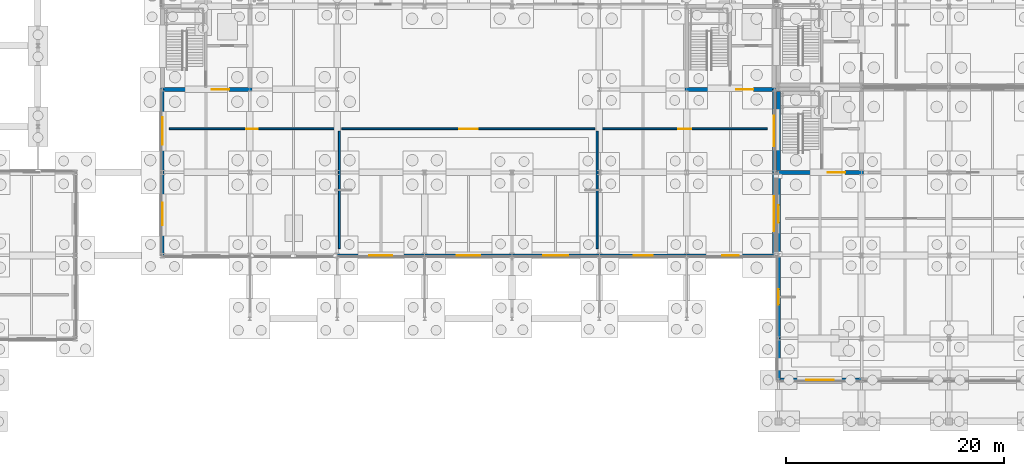
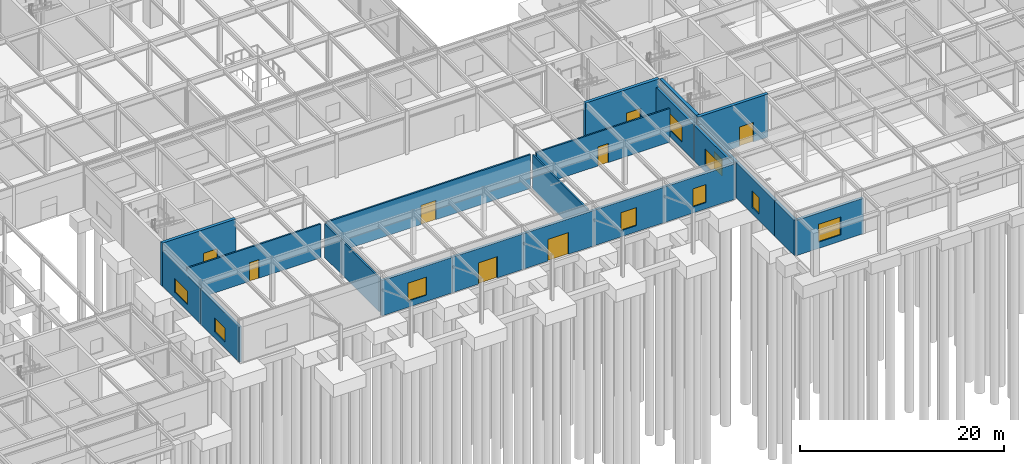
# One storey, part 43 of 62: 22 walls, 10 windows, 8 doors, 18 openings.
"""IFC4 building model written with IfcOpenShell, lengths in metres."""

from ifc_helpers import new_model, si_unit, direction, frame, frame_2d, origin, place, context, subcontext, project, spatial, rectangle, extrude, material, layer, layer_set, type_object, element, fill, save


model = new_model("IFC4")

# Units and contexts
model_context = context("Model", 3, precision=1e-05, world=origin(), true_north=direction((0.0, 1.0)))
body_context = subcontext(model_context, "Body", "Model", "MODEL_VIEW")
ifc_project = project(units=[si_unit("LENGTHUNIT", "METRE"), si_unit("AREAUNIT", "SQUARE_METRE"), si_unit("VOLUMEUNIT", "CUBIC_METRE"), si_unit("PLANEANGLEUNIT", "RADIAN"), si_unit("MASSUNIT", "GRAM", prefix="KILO")], contexts=[model_context])

# Site, building, storey
site_placement = place(None, origin())
site = spatial("IfcSite", under=ifc_project, at=site_placement, CompositionType="ELEMENT")
building_placement = place(site_placement, origin())
building = spatial("IfcBuilding", under=site, at=building_placement, Name="Zulena Civic Courthouse", CompositionType="ELEMENT")
storey_placement = place(building_placement, origin())
storey = spatial("IfcBuildingStorey", under=building, at=storey_placement, Name="L00", CompositionType="ELEMENT", Elevation=0.0)

# Wall, opening, door
ifc_material_1 = material(Name="Concrete C40/50", Category="concrete")
ifc_layer_1 = layer(ifc_material_1, 0.35009765625)
ifc_layer_set_1 = layer_set([ifc_layer_1], Name="Concrete C40/50")
wall_type_1 = type_object("IfcWallType", Name="CoreShearWall_RC350", PredefinedType="SHEAR", material=ifc_layer_set_1)
wall_1_placement = place(storey_placement, frame((124.22509765625, 22.800048828125, 0.0), z_axis=(0.0, 0.0, 1.0), x_axis=(1.0, 0.0, 0.0)))
wall_1 = element("IfcWall", 1, at=wall_1_placement, inside=storey, type_object=wall_type_1, Name="cwall:K1A:L00:S", PredefinedType="SHEAR", context=body_context, shape_type="SweptSolid", body=[
    extrude(rectangle(XDim=7.949951171875, YDim=0.35009765625, at=frame_2d((3.97509765625, 0.0))), origin(), (0.0, 0.0, 1.0), 5.18994140625),
])
opening_1_placement = place(wall_1_placement, frame((4.68505859375, 0.0, 0.0)))
opening_1 = element("IfcOpeningElement", 2, at=opening_1_placement, cuts=wall_1, Name="Opening ID04", PredefinedType="OPENING", context=body_context, shape_type="SweptSolid", body=[
    extrude(rectangle(XDim=1.60009765625, YDim=2.35009765625, at=frame_2d((0.800048828125, 1.175048828125))), frame((0.0, 0.18505859375, 0.0), z_axis=(0.0, -1.0, 0.0), x_axis=(1.0, 0.0, 0.0)), (0.0, 0.0, 1.0), 0.3701171875),
])
ifc_material_2 = material(Name="Solid-core acoustic hardwood timber", Category="wood")
door_type_1 = type_object("IfcDoorType", Name="IntDoor_CourtPublic_1600x2350", OperationType="DOUBLE_DOOR_SINGLE_SWING", PredefinedType="DOOR", material=ifc_material_2)
door_1_placement = place(opening_1_placement, origin())
door_1 = element("IfcDoor", 3, at=door_1_placement, inside=storey, type_object=door_type_1, Name="door:corelob:K1A:L00", OperationType="DOUBLE_DOOR_SINGLE_SWING", OverallHeight=2.35009765625, OverallWidth=1.60009765625, PredefinedType="DOOR", context=body_context, shape_type="SweptSolid", body=[
    extrude(rectangle(XDim=1.60009765625, YDim=2.35009765625, at=frame_2d((0.800048828125, 1.175048828125))), frame((0.0, 0.02490234375, 0.0), z_axis=(0.0, -1.0, 0.0), x_axis=(1.0, 0.0, 0.0)), (0.0, 0.0, 1.0), 0.050048828125),
])
fill(opening_1, door_1)

# Wall
wall_2_placement = place(storey_placement, frame((124.39990234375, 22.97509765625, 0.0), z_axis=(0.0, 0.0, 1.0), x_axis=(0.0, 1.0, 0.0)))
element("IfcWall", 4, at=wall_2_placement, inside=storey, type_object=wall_type_1, Name="cwall:K1A:L00:W", PredefinedType="SHEAR", context=body_context, shape_type="SweptSolid", body=[
    extrude(rectangle(XDim=7.25, YDim=0.35009765625, at=frame_2d((3.625, 0.0))), origin(), (0.0, 0.0, 1.0), 5.18994140625),
])

# Wall, opening, door
wall_3_placement = place(storey_placement, frame((67.824951171875, 30.39990234375, 0.0), z_axis=(0.0, 0.0, 1.0), x_axis=(1.0, 0.0, 0.0)))
wall_3 = element("IfcWall", 5, at=wall_3_placement, inside=storey, type_object=wall_type_1, Name="cwall:K4A:L00:S", PredefinedType="SHEAR", context=body_context, shape_type="SweptSolid", body=[
    extrude(rectangle(XDim=8.35009765625, YDim=0.35009765625, at=frame_2d((4.175048828125, 0.0))), origin(), (0.0, 0.0, 1.0), 5.18994140625),
])
opening_2_placement = place(wall_3_placement, frame((4.68505859375, 0.0, 0.0)))
opening_2 = element("IfcOpeningElement", 6, at=opening_2_placement, cuts=wall_3, Name="Opening ID04", PredefinedType="OPENING", context=body_context, shape_type="SweptSolid", body=[
    extrude(rectangle(XDim=1.60009765625, YDim=2.35009765625, at=frame_2d((0.800048828125, 1.175048828125))), frame((0.0, 0.18505859375, 0.0), z_axis=(0.0, -1.0, 0.0), x_axis=(1.0, 0.0, 0.0)), (0.0, 0.0, 1.0), 0.3701171875),
])
door_2_placement = place(opening_2_placement, origin())
door_2 = element("IfcDoor", 7, at=door_2_placement, inside=storey, type_object=door_type_1, Name="door:corelob:K4A:L00", OperationType="DOUBLE_DOOR_SINGLE_SWING", OverallHeight=2.35009765625, OverallWidth=1.60009765625, PredefinedType="DOOR", context=body_context, shape_type="SweptSolid", body=[
    extrude(rectangle(XDim=1.60009765625, YDim=2.35009765625, at=frame_2d((0.800048828125, 1.175048828125))), frame((0.0, 0.02490234375, 0.0), z_axis=(0.0, -1.0, 0.0), x_axis=(1.0, 0.0, 0.0)), (0.0, 0.0, 1.0), 0.050048828125),
])
fill(opening_2, door_2)

wall_4_placement = place(storey_placement, frame((115.824951171875, 30.39990234375, 0.0), z_axis=(0.0, 0.0, 1.0), x_axis=(1.0, 0.0, 0.0)))
wall_4 = element("IfcWall", 8, at=wall_4_placement, inside=storey, type_object=wall_type_1, Name="cwall:K4B:L00:S", PredefinedType="SHEAR", context=body_context, shape_type="SweptSolid", body=[
    extrude(rectangle(XDim=8.35009765625, YDim=0.35009765625, at=frame_2d((4.175048828125, 0.0))), origin(), (0.0, 0.0, 1.0), 5.18994140625),
])
opening_3_placement = place(wall_4_placement, frame((4.68505859375, 0.0, 0.0)))
opening_3 = element("IfcOpeningElement", 9, at=opening_3_placement, cuts=wall_4, Name="Opening ID04", PredefinedType="OPENING", context=body_context, shape_type="SweptSolid", body=[
    extrude(rectangle(XDim=1.60009765625, YDim=2.35009765625, at=frame_2d((0.800048828125, 1.175048828125))), frame((0.0, 0.18505859375, 0.0), z_axis=(0.0, -1.0, 0.0), x_axis=(1.0, 0.0, 0.0)), (0.0, 0.0, 1.0), 0.3701171875),
])
door_3_placement = place(opening_3_placement, origin())
door_3 = element("IfcDoor", 10, at=door_3_placement, inside=storey, type_object=door_type_1, Name="door:corelob:K4B:L00", OperationType="DOUBLE_DOOR_SINGLE_SWING", OverallHeight=2.35009765625, OverallWidth=1.60009765625, PredefinedType="DOOR", context=body_context, shape_type="SweptSolid", body=[
    extrude(rectangle(XDim=1.60009765625, YDim=2.35009765625, at=frame_2d((0.800048828125, 1.175048828125))), frame((0.0, 0.02490234375, 0.0), z_axis=(0.0, -1.0, 0.0), x_axis=(1.0, 0.0, 0.0)), (0.0, 0.0, 1.0), 0.050048828125),
])
fill(opening_3, door_3)

# Wall
ifc_material_3 = material(Name="Terracotta-rose architectural precast concrete C40/50", Category="masonry")
ifc_layer_2 = layer(ifc_material_3, 0.320068359375)
ifc_layer_set_2 = layer_set([ifc_layer_2], Name="Terracotta-rose architectural precast concrete C40/50")
wall_type_2 = type_object("IfcWallType", Name="ExtWall_TerraPrecast_320", PredefinedType="STANDARD", material=ifc_layer_set_2)
wall_5_placement = place(storey_placement, frame((124.39990234375, 3.780029296875, 0.0), z_axis=(0.0, 0.0, 1.0), x_axis=(0.0, 1.0, 0.0)))
element("IfcWall", 11, at=wall_5_placement, inside=storey, type_object=wall_type_2, Name="ewall:V1:L00:0:0", PredefinedType="STANDARD", context=body_context, shape_type="SweptSolid", body=[
    extrude(rectangle(XDim=3.840087890625, YDim=0.320068359375, at=frame_2d((1.919921875, 0.0))), origin(), (0.0, 0.0, 1.0), 4.25),
])

# Wall, opening, window
wall_6_placement = place(storey_placement, frame((124.39990234375, 7.580078125, 0.0), z_axis=(0.0, 0.0, 1.0), x_axis=(0.0, 1.0, 0.0)))
wall_6 = element("IfcWall", 12, at=wall_6_placement, inside=storey, type_object=wall_type_2, Name="ewall:V1:L00:0:1", PredefinedType="STANDARD", context=body_context, shape_type="SweptSolid", body=[
    extrude(rectangle(XDim=7.639892578125, YDim=0.320068359375, at=frame_2d((3.81982421875, 0.0))), origin(), (0.0, 0.0, 1.0), 4.25),
])
opening_4_placement = place(wall_6_placement, frame((3.1201171875, 0.0, 0.75)))
opening_4 = element("IfcOpeningElement", 13, at=opening_4_placement, cuts=wall_6, Name="Opening WN01", PredefinedType="OPENING", context=body_context, shape_type="SweptSolid", body=[
    extrude(rectangle(XDim=1.39990234375, YDim=2.0, at=frame_2d((0.699951171875, 1.0))), frame((0.0, 0.169921875, 0.0), z_axis=(0.0, -1.0, 0.0), x_axis=(1.0, 0.0, 0.0)), (0.0, 0.0, 1.0), 0.340087890625),
])
ifc_material_4 = material(Name="Double-silver low-E laminated solar-control glass", Category="glass")
window_type_1 = type_object("IfcWindowType", Name="Win_1400x2000", PartitioningType="SINGLE_PANEL", PredefinedType="WINDOW", material=ifc_material_4)
window_1_placement = place(opening_4_placement, origin())
window_1 = element("IfcWindow", 14, at=window_1_placement, inside=storey, type_object=window_type_1, Name="win:V1:L00:0:1", OverallHeight=2.0, OverallWidth=1.39990234375, PartitioningType="SINGLE_PANEL", PredefinedType="WINDOW", context=body_context, shape_type="SweptSolid", body=[
    extrude(rectangle(XDim=1.39990234375, YDim=2.0, at=frame_2d((0.699951171875, 1.0))), frame((0.0, 0.030029296875, 0.0), z_axis=(0.0, -1.0, 0.0), x_axis=(1.0, 0.0, 0.0)), (0.0, 0.0, 1.0), 0.06005859375),
])
fill(opening_4, window_1)

wall_7_placement = place(storey_placement, frame((124.39990234375, 15.179931640625, 0.0), z_axis=(0.0, 0.0, 1.0), x_axis=(0.0, 1.0, 0.0)))
wall_7 = element("IfcWall", 15, at=wall_7_placement, inside=storey, type_object=wall_type_2, Name="ewall:V1:L00:0:2", PredefinedType="STANDARD", context=body_context, shape_type="SweptSolid", body=[
    extrude(rectangle(XDim=7.64013671875, YDim=0.320068359375, at=frame_2d((3.820068359375, 0.0))), origin(), (0.0, 0.0, 1.0), 4.25),
])
opening_5_placement = place(wall_7_placement, frame((3.02001953125, 0.0, 0.75)))
opening_5 = element("IfcOpeningElement", 16, at=opening_5_placement, cuts=wall_7, Name="Opening WN02", PredefinedType="OPENING", context=body_context, shape_type="SweptSolid", body=[
    extrude(rectangle(XDim=1.60009765625, YDim=2.0, at=frame_2d((0.800048828125, 1.0))), frame((0.0, 0.169921875, 0.0), z_axis=(0.0, -1.0, 0.0), x_axis=(1.0, 0.0, 0.0)), (0.0, 0.0, 1.0), 0.340087890625),
])
window_type_2 = type_object("IfcWindowType", Name="Win_1600x2000", PartitioningType="SINGLE_PANEL", PredefinedType="WINDOW", material=ifc_material_4)
window_2_placement = place(opening_5_placement, origin())
window_2 = element("IfcWindow", 17, at=window_2_placement, inside=storey, type_object=window_type_2, Name="win:V1:L00:0:2", OverallHeight=2.0, OverallWidth=1.60009765625, PartitioningType="SINGLE_PANEL", PredefinedType="WINDOW", context=body_context, shape_type="SweptSolid", body=[
    extrude(rectangle(XDim=1.60009765625, YDim=2.0, at=frame_2d((0.800048828125, 1.0))), frame((0.0, 0.030029296875, 0.0), z_axis=(0.0, -1.0, 0.0), x_axis=(1.0, 0.0, 0.0)), (0.0, 0.0, 1.0), 0.06005859375),
])
fill(opening_5, window_2)

wall_8_placement = place(storey_placement, frame((132.02001953125, 3.800048828125, 0.0), z_axis=(0.0, 0.0, 1.0), x_axis=(-1.0, 0.0, 0.0)))
wall_8 = element("IfcWall", 18, at=wall_8_placement, inside=storey, type_object=wall_type_2, Name="ewall:V1:L00:3:5", PredefinedType="STANDARD", context=body_context, shape_type="SweptSolid", body=[
    extrude(rectangle(XDim=7.64013671875, YDim=0.320068359375, at=frame_2d((3.820068359375, 0.0))), origin(), (0.0, 0.0, 1.0), 4.25),
])
opening_6_placement = place(wall_8_placement, frame((2.570068359375, 0.0, 0.75)))
opening_6 = element("IfcOpeningElement", 19, at=opening_6_placement, cuts=wall_8, Name="Opening WN12", PredefinedType="OPENING", context=body_context, shape_type="SweptSolid", body=[
    extrude(rectangle(XDim=2.5, YDim=2.14990234375, at=frame_2d((1.25, 1.074951171875))), frame((0.0, 0.169921875, 0.0), z_axis=(0.0, -1.0, 0.0), x_axis=(1.0, 0.0, 0.0)), (0.0, 0.0, 1.0), 0.340087890625),
])
window_type_3 = type_object("IfcWindowType", Name="Win_2500x2150", PartitioningType="DOUBLE_PANEL_VERTICAL", PredefinedType="WINDOW", material=ifc_material_4)
window_3_placement = place(opening_6_placement, origin())
window_3 = element("IfcWindow", 20, at=window_3_placement, inside=storey, type_object=window_type_3, Name="win:V1:L00:3:5", OverallHeight=2.14990234375, OverallWidth=2.5, PartitioningType="SINGLE_PANEL", PredefinedType="WINDOW", context=body_context, shape_type="SweptSolid", body=[
    extrude(rectangle(XDim=2.5, YDim=2.14990234375, at=frame_2d((1.25, 1.074951171875))), frame((0.0, 0.030029296875, 0.0), z_axis=(0.0, -1.0, 0.0), x_axis=(1.0, 0.0, 0.0)), (0.0, 0.0, 1.0), 0.06005859375),
])
fill(opening_6, window_3)

ifc_material_5 = material(Name="Travertine-cream architectural precast concrete C40/50", Category="masonry")
ifc_layer_3 = layer(ifc_material_5, 0.280029296875)
ifc_layer_set_3 = layer_set([ifc_layer_3], Name="Travertine-cream architectural precast concrete C40/50")
wall_type_3 = type_object("IfcWallType", Name="ExtWall_TravPrecast_280", PredefinedType="STANDARD", material=ifc_layer_set_3)
wall_9_placement = place(storey_placement, frame((68.0, 15.179931640625, 0.0), z_axis=(0.0, 0.0, 1.0), x_axis=(0.0, 1.0, 0.0)))
wall_9 = element("IfcWall", 21, at=wall_9_placement, inside=storey, type_object=wall_type_3, Name="ewall:V4:L00:0:0", PredefinedType="STANDARD", context=body_context, shape_type="SweptSolid", body=[
    extrude(rectangle(XDim=7.64013671875, YDim=0.280029296875, at=frame_2d((3.820068359375, 0.0))), origin(), (0.0, 0.0, 1.0), 4.25),
])
opening_7_placement = place(wall_9_placement, frame((2.77001953125, 0.0, 0.75)))
opening_7 = element("IfcOpeningElement", 22, at=opening_7_placement, cuts=wall_9, Name="Opening WN44", PredefinedType="OPENING", context=body_context, shape_type="SweptSolid", body=[
    extrude(rectangle(XDim=2.10009765625, YDim=1.64990234375, at=frame_2d((1.050048828125, 0.824951171875))), frame((0.0, 0.14990234375, 0.0), z_axis=(0.0, -1.0, 0.0), x_axis=(1.0, 0.0, 0.0)), (0.0, 0.0, 1.0), 0.300048828125),
])
window_type_4 = type_object("IfcWindowType", Name="Win_2100x1650", PartitioningType="DOUBLE_PANEL_VERTICAL", PredefinedType="WINDOW", material=ifc_material_4)
window_4_placement = place(opening_7_placement, origin())
window_4 = element("IfcWindow", 23, at=window_4_placement, inside=storey, type_object=window_type_4, Name="win:V4:L00:0:0", OverallHeight=1.64990234375, OverallWidth=2.10009765625, PartitioningType="SINGLE_PANEL", PredefinedType="WINDOW", context=body_context, shape_type="SweptSolid", body=[
    extrude(rectangle(XDim=2.10009765625, YDim=1.64990234375, at=frame_2d((1.050048828125, 0.824951171875))), frame((0.0, 0.030029296875, 0.0), z_axis=(0.0, -1.0, 0.0), x_axis=(1.0, 0.0, 0.0)), (0.0, 0.0, 1.0), 0.06005859375),
])
fill(opening_7, window_4)

wall_10_placement = place(storey_placement, frame((68.0, 22.780029296875, 0.0), z_axis=(0.0, 0.0, 1.0), x_axis=(0.0, 1.0, 0.0)))
wall_10 = element("IfcWall", 24, at=wall_10_placement, inside=storey, type_object=wall_type_3, Name="ewall:V4:L00:0:1", PredefinedType="STANDARD", context=body_context, shape_type="SweptSolid", body=[
    extrude(rectangle(XDim=7.639892578125, YDim=0.280029296875, at=frame_2d((3.81982421875, 0.0))), origin(), (0.0, 0.0, 1.0), 4.25),
])
opening_8_placement = place(wall_10_placement, frame((2.570068359375, 0.0, 0.75)))
opening_8 = element("IfcOpeningElement", 25, at=opening_8_placement, cuts=wall_10, Name="Opening WN45", PredefinedType="OPENING", context=body_context, shape_type="SweptSolid", body=[
    extrude(rectangle(XDim=2.5, YDim=1.64990234375, at=frame_2d((1.25, 0.824951171875))), frame((0.0, 0.14990234375, 0.0), z_axis=(0.0, -1.0, 0.0), x_axis=(1.0, 0.0, 0.0)), (0.0, 0.0, 1.0), 0.300048828125),
])
window_type_5 = type_object("IfcWindowType", Name="Win_2500x1650", PartitioningType="DOUBLE_PANEL_VERTICAL", PredefinedType="WINDOW", material=ifc_material_4)
window_5_placement = place(opening_8_placement, origin())
window_5 = element("IfcWindow", 26, at=window_5_placement, inside=storey, type_object=window_type_5, Name="win:V4:L00:0:1", OverallHeight=1.64990234375, OverallWidth=2.5, PartitioningType="SINGLE_PANEL", PredefinedType="WINDOW", context=body_context, shape_type="SweptSolid", body=[
    extrude(rectangle(XDim=2.5, YDim=1.64990234375, at=frame_2d((1.25, 0.824951171875))), frame((0.0, 0.030029296875, 0.0), z_axis=(0.0, -1.0, 0.0), x_axis=(1.0, 0.0, 0.0)), (0.0, 0.0, 1.0), 0.06005859375),
])
fill(opening_8, window_5)

wall_11_placement = place(storey_placement, frame((124.0, 30.419921875, 0.0), z_axis=(0.0, 0.0, 1.0), x_axis=(0.0, -1.0, 0.0)))
wall_11 = element("IfcWall", 27, at=wall_11_placement, inside=storey, type_object=wall_type_3, Name="ewall:V4:L00:2:2", PredefinedType="STANDARD", context=body_context, shape_type="SweptSolid", body=[
    extrude(rectangle(XDim=7.639892578125, YDim=0.280029296875, at=frame_2d((3.81982421875, 0.0))), origin(), (0.0, 0.0, 1.0), 4.25),
])
opening_9_placement = place(wall_11_placement, frame((2.419921875, 0.0, 0.75)))
opening_9 = element("IfcOpeningElement", 28, at=opening_9_placement, cuts=wall_11, Name="Opening WN07", PredefinedType="OPENING", context=body_context, shape_type="SweptSolid", body=[
    extrude(rectangle(XDim=2.800048828125, YDim=2.0, at=frame_2d((1.39990234375, 1.0))), frame((0.0, 0.14990234375, 0.0), z_axis=(0.0, -1.0, 0.0), x_axis=(1.0, 0.0, 0.0)), (0.0, 0.0, 1.0), 0.300048828125),
])
window_type_6 = type_object("IfcWindowType", Name="Win_2800x2000", PartitioningType="DOUBLE_PANEL_VERTICAL", PredefinedType="WINDOW", material=ifc_material_4)
window_6_placement = place(opening_9_placement, origin())
window_6 = element("IfcWindow", 29, at=window_6_placement, inside=storey, type_object=window_type_6, Name="win:V4:L00:2:2", OverallHeight=2.0, OverallWidth=2.800048828125, PartitioningType="SINGLE_PANEL", PredefinedType="WINDOW", context=body_context, shape_type="SweptSolid", body=[
    extrude(rectangle(XDim=2.800048828125, YDim=2.0, at=frame_2d((1.39990234375, 1.0))), frame((0.0, 0.030029296875, 0.0), z_axis=(0.0, -1.0, 0.0), x_axis=(1.0, 0.0, 0.0)), (0.0, 0.0, 1.0), 0.06005859375),
])
fill(opening_9, window_6)

wall_12_placement = place(storey_placement, frame((124.0, 22.820068359375, 0.0), z_axis=(0.0, 0.0, 1.0), x_axis=(0.0, -1.0, 0.0)))
wall_12 = element("IfcWall", 30, at=wall_12_placement, inside=storey, type_object=wall_type_3, Name="ewall:V4:L00:2:3", PredefinedType="STANDARD", context=body_context, shape_type="SweptSolid", body=[
    extrude(rectangle(XDim=7.64013671875, YDim=0.280029296875, at=frame_2d((3.820068359375, 0.0))), origin(), (0.0, 0.0, 1.0), 4.25),
])
opening_10_placement = place(wall_12_placement, frame((2.219970703125, 0.0, 0.75)))
opening_10 = element("IfcOpeningElement", 31, at=opening_10_placement, cuts=wall_12, Name="Opening WN08", PredefinedType="OPENING", context=body_context, shape_type="SweptSolid", body=[
    extrude(rectangle(XDim=3.199951171875, YDim=2.0, at=frame_2d((1.60009765625, 1.0))), frame((0.0, 0.14990234375, 0.0), z_axis=(0.0, -1.0, 0.0), x_axis=(1.0, 0.0, 0.0)), (0.0, 0.0, 1.0), 0.300048828125),
])
window_type_7 = type_object("IfcWindowType", Name="Win_3200x2000", PartitioningType="DOUBLE_PANEL_VERTICAL", PredefinedType="WINDOW", material=ifc_material_4)
window_7_placement = place(opening_10_placement, origin())
window_7 = element("IfcWindow", 32, at=window_7_placement, inside=storey, type_object=window_type_7, Name="win:V4:L00:2:3", OverallHeight=2.0, OverallWidth=3.199951171875, PartitioningType="SINGLE_PANEL", PredefinedType="WINDOW", context=body_context, shape_type="SweptSolid", body=[
    extrude(rectangle(XDim=3.199951171875, YDim=2.0, at=frame_2d((1.60009765625, 1.0))), frame((0.0, 0.030029296875, 0.0), z_axis=(0.0, -1.0, 0.0), x_axis=(1.0, 0.0, 0.0)), (0.0, 0.0, 1.0), 0.06005859375),
])
fill(opening_10, window_7)

wall_13_placement = place(storey_placement, frame((124.02001953125, 15.199951171875, 0.0), z_axis=(0.0, 0.0, 1.0), x_axis=(-1.0, 0.0, 0.0)))
wall_13 = element("IfcWall", 33, at=wall_13_placement, inside=storey, type_object=wall_type_3, Name="ewall:V4:L00:3:0", PredefinedType="STANDARD", context=body_context, shape_type="SweptSolid", body=[
    extrude(rectangle(XDim=8.0400390625, YDim=0.280029296875, at=frame_2d((4.02001953125, 0.0))), origin(), (0.0, 0.0, 1.0), 4.25),
])
opening_11_placement = place(wall_13_placement, frame((3.27001953125, 0.0, 0.75)))
opening_11 = element("IfcOpeningElement", 34, at=opening_11_placement, cuts=wall_13, Name="Opening WN09", PredefinedType="OPENING", context=body_context, shape_type="SweptSolid", body=[
    extrude(rectangle(XDim=1.5, YDim=2.14990234375, at=frame_2d((0.75, 1.074951171875))), frame((0.0, 0.14990234375, 0.0), z_axis=(0.0, -1.0, 0.0), x_axis=(1.0, 0.0, 0.0)), (0.0, 0.0, 1.0), 0.300048828125),
])
window_type_8 = type_object("IfcWindowType", Name="Win_1500x2150", PartitioningType="SINGLE_PANEL", PredefinedType="WINDOW", material=ifc_material_4)
window_8_placement = place(opening_11_placement, origin())
window_8 = element("IfcWindow", 35, at=window_8_placement, inside=storey, type_object=window_type_8, Name="win:V4:L00:3:0", OverallHeight=2.14990234375, OverallWidth=1.5, PartitioningType="SINGLE_PANEL", PredefinedType="WINDOW", context=body_context, shape_type="SweptSolid", body=[
    extrude(rectangle(XDim=1.5, YDim=2.14990234375, at=frame_2d((0.75, 1.074951171875))), frame((0.0, 0.030029296875, 0.0), z_axis=(0.0, -1.0, 0.0), x_axis=(1.0, 0.0, 0.0)), (0.0, 0.0, 1.0), 0.06005859375),
])
fill(opening_11, window_8)

wall_14_placement = place(storey_placement, frame((116.02001953125, 15.199951171875, 0.0), z_axis=(0.0, 0.0, 1.0), x_axis=(-1.0, 0.0, 0.0)))
wall_14 = element("IfcWall", 36, at=wall_14_placement, inside=storey, type_object=wall_type_3, Name="ewall:V4:L00:3:1", PredefinedType="STANDARD", context=body_context, shape_type="SweptSolid", body=[
    extrude(rectangle(XDim=8.0400390625, YDim=0.280029296875, at=frame_2d((4.02001953125, 0.0))), origin(), (0.0, 0.0, 1.0), 4.25),
])
opening_12_placement = place(wall_14_placement, frame((3.14501953125, 0.0, 0.75)))
opening_12 = element("IfcOpeningElement", 37, at=opening_12_placement, cuts=wall_14, Name="Opening WN10", PredefinedType="OPENING", context=body_context, shape_type="SweptSolid", body=[
    extrude(rectangle(XDim=1.75, YDim=2.14990234375, at=frame_2d((0.875, 1.074951171875))), frame((0.0, 0.14990234375, 0.0), z_axis=(0.0, -1.0, 0.0), x_axis=(1.0, 0.0, 0.0)), (0.0, 0.0, 1.0), 0.300048828125),
])
window_type_9 = type_object("IfcWindowType", Name="Win_1750x2150", PartitioningType="SINGLE_PANEL", PredefinedType="WINDOW", material=ifc_material_4)
window_9_placement = place(opening_12_placement, origin())
window_9 = element("IfcWindow", 38, at=window_9_placement, inside=storey, type_object=window_type_9, Name="win:V4:L00:3:1", OverallHeight=2.14990234375, OverallWidth=1.75, PartitioningType="SINGLE_PANEL", PredefinedType="WINDOW", context=body_context, shape_type="SweptSolid", body=[
    extrude(rectangle(XDim=1.75, YDim=2.14990234375, at=frame_2d((0.875, 1.074951171875))), frame((0.0, 0.030029296875, 0.0), z_axis=(0.0, -1.0, 0.0), x_axis=(1.0, 0.0, 0.0)), (0.0, 0.0, 1.0), 0.06005859375),
])
fill(opening_12, window_9)

# Wall, opening, door
wall_15_placement = place(storey_placement, frame((108.02001953125, 15.199951171875, 0.0), z_axis=(0.0, 0.0, 1.0), x_axis=(-1.0, 0.0, 0.0)))
wall_15 = element("IfcWall", 39, at=wall_15_placement, inside=storey, type_object=wall_type_3, Name="ewall:V4:L00:3:2", PredefinedType="STANDARD", context=body_context, shape_type="SweptSolid", body=[
    extrude(rectangle(XDim=8.0400390625, YDim=0.280029296875, at=frame_2d((4.02001953125, 0.0))), origin(), (0.0, 0.0, 1.0), 4.25),
])
opening_13_placement = place(wall_15_placement, frame((2.8701171875, 0.0, 0.0)))
opening_13 = element("IfcOpeningElement", 40, at=opening_13_placement, cuts=wall_15, Name="Opening ED01", PredefinedType="OPENING", context=body_context, shape_type="SweptSolid", body=[
    extrude(rectangle(XDim=2.300048828125, YDim=2.60009765625, at=frame_2d((1.14990234375, 1.300048828125))), frame((0.0, 0.14990234375, 0.0), z_axis=(0.0, -1.0, 0.0), x_axis=(1.0, 0.0, 0.0)), (0.0, 0.0, 1.0), 0.300048828125),
])
ifc_material_6 = material(Name="Galvanised architectural steel ASTM A653 Grade 50", Category="steel")
door_type_2 = type_object("IfcDoorType", Name="ExtDoor_MainDouble_2300x2600", OperationType="DOUBLE_DOOR_SINGLE_SWING", PredefinedType="DOOR", material=ifc_material_6)
door_4_placement = place(opening_13_placement, origin())
door_4 = element("IfcDoor", 41, at=door_4_placement, inside=storey, type_object=door_type_2, Name="door:ext:V4:L00:3:2", OperationType="DOUBLE_DOOR_SINGLE_SWING", OverallHeight=2.60009765625, OverallWidth=2.300048828125, PredefinedType="DOOR", context=body_context, shape_type="SweptSolid", body=[
    extrude(rectangle(XDim=2.300048828125, YDim=2.60009765625, at=frame_2d((1.14990234375, 1.300048828125))), frame((0.0, 0.02490234375, 0.0), z_axis=(0.0, -1.0, 0.0), x_axis=(1.0, 0.0, 0.0)), (0.0, 0.0, 1.0), 0.050048828125),
])
fill(opening_13, door_4)

wall_16_placement = place(storey_placement, frame((100.02001953125, 15.199951171875, 0.0), z_axis=(0.0, 0.0, 1.0), x_axis=(-1.0, 0.0, 0.0)))
wall_16 = element("IfcWall", 42, at=wall_16_placement, inside=storey, type_object=wall_type_3, Name="ewall:V4:L00:3:3", PredefinedType="STANDARD", context=body_context, shape_type="SweptSolid", body=[
    extrude(rectangle(XDim=8.0400390625, YDim=0.280029296875, at=frame_2d((4.02001953125, 0.0))), origin(), (0.0, 0.0, 1.0), 4.25),
])
opening_14_placement = place(wall_16_placement, frame((2.945068359375, 0.0, 0.0)))
opening_14 = element("IfcOpeningElement", 43, at=opening_14_placement, cuts=wall_16, Name="Opening ED02", PredefinedType="OPENING", context=body_context, shape_type="SweptSolid", body=[
    extrude(rectangle(XDim=2.14990234375, YDim=2.550048828125, at=frame_2d((1.074951171875, 1.27490234375))), frame((0.0, 0.14990234375, 0.0), z_axis=(0.0, -1.0, 0.0), x_axis=(1.0, 0.0, 0.0)), (0.0, 0.0, 1.0), 0.300048828125),
])
door_type_3 = type_object("IfcDoorType", Name="ExtDoor_MainDouble_2150x2550", OperationType="DOUBLE_DOOR_SINGLE_SWING", PredefinedType="DOOR", material=ifc_material_6)
door_5_placement = place(opening_14_placement, origin())
door_5 = element("IfcDoor", 44, at=door_5_placement, inside=storey, type_object=door_type_3, Name="door:ext:V4:L00:3:3", OperationType="DOUBLE_DOOR_SINGLE_SWING", OverallHeight=2.550048828125, OverallWidth=2.14990234375, PredefinedType="DOOR", context=body_context, shape_type="SweptSolid", body=[
    extrude(rectangle(XDim=2.14990234375, YDim=2.550048828125, at=frame_2d((1.074951171875, 1.27490234375))), frame((0.0, 0.02490234375, 0.0), z_axis=(0.0, -1.0, 0.0), x_axis=(1.0, 0.0, 0.0)), (0.0, 0.0, 1.0), 0.050048828125),
])
fill(opening_14, door_5)

# Wall, opening, window
wall_17_placement = place(storey_placement, frame((92.02001953125, 15.199951171875, 0.0), z_axis=(0.0, 0.0, 1.0), x_axis=(-1.0, 0.0, 0.0)))
wall_17 = element("IfcWall", 45, at=wall_17_placement, inside=storey, type_object=wall_type_3, Name="ewall:V4:L00:3:4", PredefinedType="STANDARD", context=body_context, shape_type="SweptSolid", body=[
    extrude(rectangle(XDim=8.0400390625, YDim=0.280029296875, at=frame_2d((4.02001953125, 0.0))), origin(), (0.0, 0.0, 1.0), 4.25),
])
opening_15_placement = place(wall_17_placement, frame((2.969970703125, 0.0, 0.75)))
opening_15 = element("IfcOpeningElement", 46, at=opening_15_placement, cuts=wall_17, Name="Opening WN11", PredefinedType="OPENING", context=body_context, shape_type="SweptSolid", body=[
    extrude(rectangle(XDim=2.10009765625, YDim=2.14990234375, at=frame_2d((1.050048828125, 1.074951171875))), frame((0.0, 0.14990234375, 0.0), z_axis=(0.0, -1.0, 0.0), x_axis=(1.0, 0.0, 0.0)), (0.0, 0.0, 1.0), 0.300048828125),
])
window_type_10 = type_object("IfcWindowType", Name="Win_2100x2150", PartitioningType="DOUBLE_PANEL_VERTICAL", PredefinedType="WINDOW", material=ifc_material_4)
window_10_placement = place(opening_15_placement, origin())
window_10 = element("IfcWindow", 47, at=window_10_placement, inside=storey, type_object=window_type_10, Name="win:V4:L00:3:4", OverallHeight=2.14990234375, OverallWidth=2.10009765625, PartitioningType="SINGLE_PANEL", PredefinedType="WINDOW", context=body_context, shape_type="SweptSolid", body=[
    extrude(rectangle(XDim=2.10009765625, YDim=2.14990234375, at=frame_2d((1.050048828125, 1.074951171875))), frame((0.0, 0.030029296875, 0.0), z_axis=(0.0, -1.0, 0.0), x_axis=(1.0, 0.0, 0.0)), (0.0, 0.0, 1.0), 0.06005859375),
])
fill(opening_15, window_10)

# Wall, opening, door
ifc_material_7 = material(Name="Acoustic fire-rated gypsum board assembly", Category="masonry")
ifc_layer_4 = layer(ifc_material_7, 0.177978515625)
ifc_layer_set_4 = layer_set([ifc_layer_4], Name="Acoustic fire-rated gypsum board assembly")
wall_type_4 = type_object("IfcWallType", Name="PartWall_Corridor_178", PredefinedType="PARTITIONING", material=ifc_layer_set_4)
wall_18_placement = place(storey_placement, frame((84.419921875, 26.800048828125, 0.0), z_axis=(0.0, 0.0, 1.0), x_axis=(1.0, 0.0, 0.0)))
wall_18 = element("IfcWall", 48, at=wall_18_placement, inside=storey, type_object=wall_type_4, Name="pwall:L00:231:0", PredefinedType="PARTITIONING", context=body_context, shape_type="SweptSolid", body=[
    extrude(rectangle(XDim=23.16015625, YDim=0.177978515625, at=frame_2d((11.580078125, 0.0))), origin(), (0.0, 0.0, 1.0), 4.050048828125),
])
opening_16_placement = place(wall_18_placement, frame((10.72998046875, 0.0, 0.0)))
opening_16 = element("IfcOpeningElement", 49, at=opening_16_placement, cuts=wall_18, Name="Opening ID25", PredefinedType="OPENING", context=body_context, shape_type="SweptSolid", body=[
    extrude(rectangle(XDim=1.699951171875, YDim=2.300048828125, at=frame_2d((0.85009765625, 1.14990234375))), frame((0.0, 0.098876953125, 0.0), z_axis=(0.0, -1.0, 0.0), x_axis=(1.0, 0.0, 0.0)), (0.0, 0.0, 1.0), 0.197998046875),
])
ifc_material_8 = material(Name="Fire-rated galvanised steel ASTM A653 Grade 50", Category="steel")
door_type_4 = type_object("IfcDoorType", Name="IntDoor_PlantDouble_1700x2300", OperationType="DOUBLE_DOOR_SINGLE_SWING", PredefinedType="DOOR", material=ifc_material_8)
door_6_placement = place(opening_16_placement, origin())
door_6 = element("IfcDoor", 50, at=door_6_placement, inside=storey, type_object=door_type_4, Name="door:rm:L00:231", OperationType="DOUBLE_DOOR_SINGLE_SWING", OverallHeight=2.300048828125, OverallWidth=1.699951171875, PredefinedType="DOOR", context=body_context, shape_type="SweptSolid", body=[
    extrude(rectangle(XDim=1.699951171875, YDim=2.300048828125, at=frame_2d((0.85009765625, 1.14990234375))), frame((0.0, 0.02490234375, 0.0), z_axis=(0.0, -1.0, 0.0), x_axis=(1.0, 0.0, 0.0)), (0.0, 0.0, 1.0), 0.050048828125),
])
fill(opening_16, door_6)

# Walls
for number, where, z_axis, x_axis, name in (
    (51, (107.800048828125, 15.820068359375, 0.0), (0.0, 0.0, 1.0), (0.0, 1.0, 0.0), "pwall:L00:231:1"),
    (52, (84.199951171875, 15.820068359375, 0.0), (0.0, 0.0, 1.0), (0.0, 1.0, 0.0), "pwall:L00:231:2"),
):
    element("IfcWall", number, at=place(storey_placement, frame(where, z_axis=z_axis, x_axis=x_axis)), inside=storey, type_object=wall_type_4, Name=name, PredefinedType="PARTITIONING", context=body_context, shape_type="SweptSolid", body=[
        extrude(rectangle(XDim=10.760009765625, YDim=0.177978515625, at=frame_2d((5.3798828125, 0.0))), origin(), (0.0, 0.0, 1.0), 4.050048828125),
    ])

# Wall, opening, door
wall_19_placement = place(storey_placement, frame((68.6201171875, 26.800048828125, 0.0), z_axis=(0.0, 0.0, 1.0), x_axis=(1.0, 0.0, 0.0)))
wall_19 = element("IfcWall", 53, at=wall_19_placement, inside=storey, type_object=wall_type_4, Name="pwall:L00:232:0", PredefinedType="PARTITIONING", context=body_context, shape_type="SweptSolid", body=[
    extrude(rectangle(XDim=15.159912109375, YDim=0.177978515625, at=frame_2d((7.580078125, 0.0))), origin(), (0.0, 0.0, 1.0), 4.050048828125),
])
opening_17_placement = place(wall_19_placement, frame((7.0400390625, 0.0, 0.0)))
opening_17 = element("IfcOpeningElement", 54, at=opening_17_placement, cuts=wall_19, Name="Opening ID26", PredefinedType="OPENING", context=body_context, shape_type="SweptSolid", body=[
    extrude(rectangle(XDim=1.080078125, YDim=2.25, at=frame_2d((0.5400390625, 1.125))), frame((0.0, 0.098876953125, 0.0), z_axis=(0.0, -1.0, 0.0), x_axis=(1.0, 0.0, 0.0)), (0.0, 0.0, 1.0), 0.197998046875),
])
door_type_5 = type_object("IfcDoorType", Name="IntDoor_PlantSingle_1080x2250", OperationType="NOTDEFINED", PredefinedType="DOOR", material=ifc_material_8)
door_7_placement = place(opening_17_placement, origin())
door_7 = element("IfcDoor", 55, at=door_7_placement, inside=storey, type_object=door_type_5, Name="door:rm:L00:232", OperationType="SINGLE_SWING_RIGHT", OverallHeight=2.25, OverallWidth=1.080078125, PredefinedType="DOOR", context=body_context, shape_type="SweptSolid", body=[
    extrude(rectangle(XDim=1.080078125, YDim=2.25, at=frame_2d((0.5400390625, 1.125))), frame((0.0, 0.02490234375, 0.0), z_axis=(0.0, -1.0, 0.0), x_axis=(1.0, 0.0, 0.0)), (0.0, 0.0, 1.0), 0.050048828125),
])
fill(opening_17, door_7)

wall_20_placement = place(storey_placement, frame((108.219970703125, 26.800048828125, 0.0), z_axis=(0.0, 0.0, 1.0), x_axis=(1.0, 0.0, 0.0)))
wall_20 = element("IfcWall", 56, at=wall_20_placement, inside=storey, type_object=wall_type_4, Name="pwall:L00:233:0", PredefinedType="PARTITIONING", context=body_context, shape_type="SweptSolid", body=[
    extrude(rectangle(XDim=15.159912109375, YDim=0.177978515625, at=frame_2d((7.580078125, 0.0))), origin(), (0.0, 0.0, 1.0), 4.050048828125),
])
opening_18_placement = place(wall_20_placement, frame((6.989990234375, 0.0, 0.0)))
opening_18 = element("IfcOpeningElement", 57, at=opening_18_placement, cuts=wall_20, Name="Opening ID27", PredefinedType="OPENING", context=body_context, shape_type="SweptSolid", body=[
    extrude(rectangle(XDim=1.179931640625, YDim=2.300048828125, at=frame_2d((0.58984375, 1.14990234375))), frame((0.0, 0.098876953125, 0.0), z_axis=(0.0, -1.0, 0.0), x_axis=(1.0, 0.0, 0.0)), (0.0, 0.0, 1.0), 0.197998046875),
])
door_type_6 = type_object("IfcDoorType", Name="IntDoor_FCC_1180x2300", OperationType="NOTDEFINED", PredefinedType="DOOR", material=ifc_material_8)
door_8_placement = place(opening_18_placement, origin())
door_8 = element("IfcDoor", 58, at=door_8_placement, inside=storey, type_object=door_type_6, Name="door:rm:L00:233", OperationType="SINGLE_SWING_LEFT", OverallHeight=2.300048828125, OverallWidth=1.179931640625, PredefinedType="DOOR", context=body_context, shape_type="SweptSolid", body=[
    extrude(rectangle(XDim=1.179931640625, YDim=2.300048828125, at=frame_2d((0.58984375, 1.14990234375))), frame((0.0, 0.02490234375, 0.0), z_axis=(0.0, -1.0, 0.0), x_axis=(1.0, 0.0, 0.0)), (0.0, 0.0, 1.0), 0.050048828125),
])
fill(opening_18, door_8)

save(model, "model.ifc")
